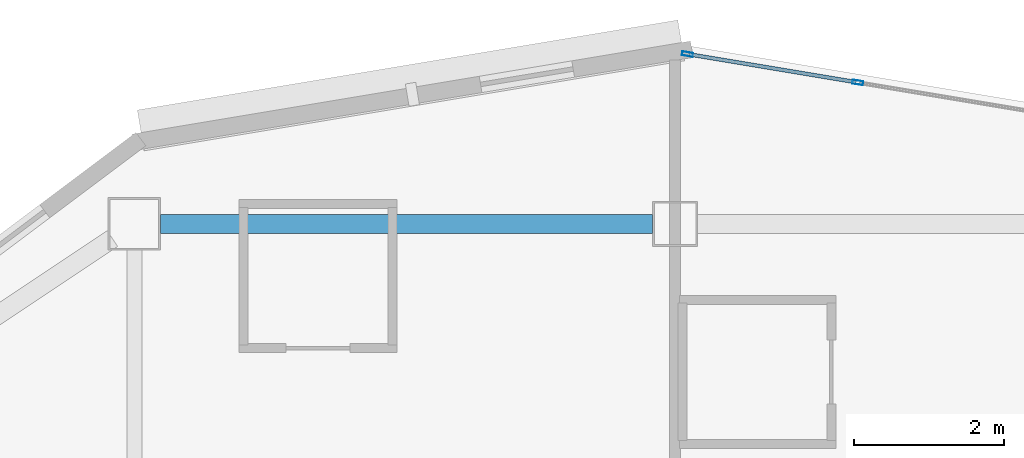
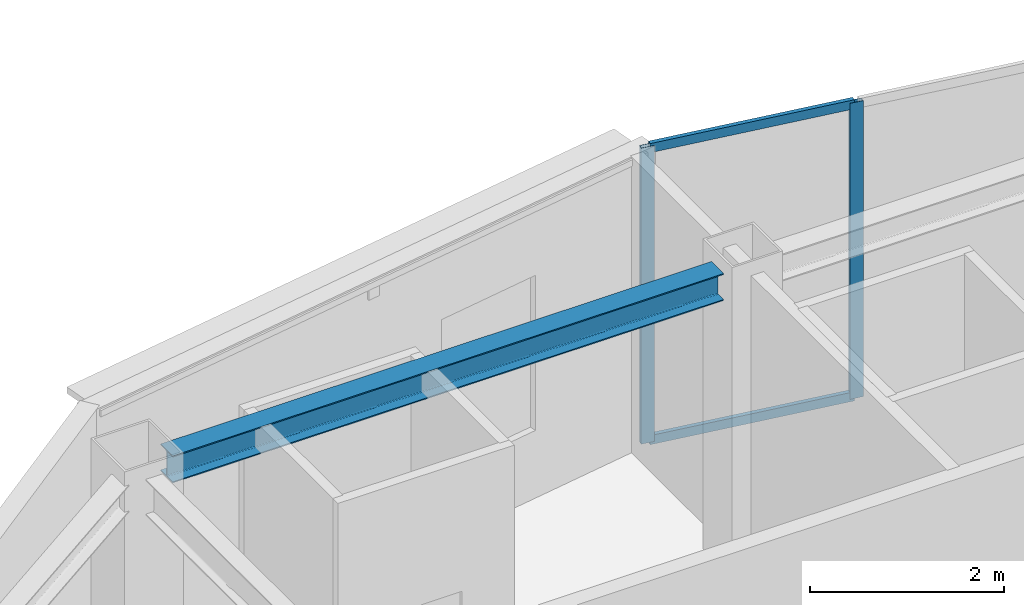
# One storey, part 5 of 12: 4 members, 1 beam, 1 element without a shape of its own.
"""IFC4 building model written with IfcOpenShell, lengths in metres."""

from ifc_helpers import new_model, si_unit, direction, frame, origin, origin_2d, place, context, subcontext, project, spatial, hollow_rectangle, i_section, extrude, material, layer, layer_set, material_profile, profile_set, type_object, element, aggregate, save


model = new_model("IFC4")

# Units and contexts
model_context = context("Model", 3, precision=1e-05, world=origin(), true_north=direction((0.0, 1.0)))
body_context = subcontext(model_context, "Body", "Model", "MODEL_VIEW")
ifc_project = project(units=[si_unit("LENGTHUNIT", "METRE"), si_unit("AREAUNIT", "SQUARE_METRE"), si_unit("VOLUMEUNIT", "CUBIC_METRE"), si_unit("PLANEANGLEUNIT", "RADIAN"), si_unit("MASSUNIT", "GRAM", prefix="KILO")], contexts=[model_context])

# Site, building, storey
site_placement = place(None, origin())
site = spatial("IfcSite", under=ifc_project, at=site_placement, CompositionType="ELEMENT")
building_placement = place(site_placement, origin())
building = spatial("IfcBuilding", under=site, at=building_placement, Name="Haolan Belvedere Tower", CompositionType="ELEMENT")
storey_placement = place(building_placement, frame((0.0, 0.0, 282.199951171875)))
storey = spatial("IfcBuildingStorey", under=building, at=storey_placement, Name="L71", CompositionType="ELEMENT", Elevation=282.199951171875)

# Beam
ifc_material_1 = material(Name="Steel Q355B", Category="steel")
ifc_material_profile_1 = material_profile(ifc_material_1, i_section(OverallWidth=0.25, OverallDepth=0.340087890625, WebThickness=0.009033203125, FlangeThickness=0.013916015625, FilletRadius=0.02001953125, at=origin_2d()), Name="Steel Q355B")
ifc_profile_set_1 = profile_set([ifc_material_profile_1], Name="Steel Q355B")
beam_type = type_object("IfcBeamType", Name="BM-HM340x250x9x14", PredefinedType="SPANDREL", material=ifc_profile_set_1)
beam_placement = place(storey_placement, frame((31.550048828125, 50.39990234375, 3.550048828125), z_axis=(1.0, 0.0, 0.0), x_axis=(0.0, 1.0, 0.0)))
element("IfcBeam", 1, at=beam_placement, inside=storey, type_object=beam_type, Name="L71 spandrel girder MC-T3-N1-TC-T3-NM", PredefinedType="SPANDREL", context=body_context, shape_type="SweptSolid", body=[
    extrude(i_section(OverallWidth=0.25, OverallDepth=0.340087890625, WebThickness=0.009033203125, FlangeThickness=0.013916015625, FilletRadius=0.02001953125, at=origin_2d()), origin(), (0.0, 0.0, 1.0), 6.550048828125),
])

# Curtain wall, members
ifc_material_2 = material(Name="Anodised champagne-silver aluminium 6063-T6 and Low-E glass", Category="aluminium")
ifc_layer = layer(ifc_material_2, 0.14501953125, Name="Anodised champagne-silver aluminium 6063-T6 and Low-E glass")
ifc_layer_set = layer_set([ifc_layer], Name="Anodised champagne-silver aluminium 6063-T6 and Low-E glass")
curtain_wall_type = type_object("IfcCurtainWallType", Name="CW-SYS-05", PredefinedType="NOTDEFINED", material=ifc_layer_set)
curtain_wall_placement = place(storey_placement, origin())
curtain_wall = element("IfcCurtainWall", 2, at=curtain_wall_placement, inside=storey, type_object=curtain_wall_type, Name="L71 CW-SYS-05 ribbon curtain wall 9.1", PredefinedType="NOTDEFINED")
ifc_material_3 = material(Name="Anodised aluminium 6063-T6", Category="aluminium")
ifc_material_profile_2 = material_profile(ifc_material_3, hollow_rectangle(XDim=0.053955078125, YDim=0.14501953125, WallThickness=0.00390625, at=origin_2d()), Name="Anodised aluminium 6063-T6")
ifc_profile_set_2 = profile_set([ifc_material_profile_2], Name="Anodised aluminium 6063-T6")
member_type_1 = type_object("IfcMemberType", Name="CW-SYS-05-MUL", PredefinedType="MULLION", material=ifc_profile_set_2)
member_1_placement = place(storey_placement, frame((40.831298828125, 52.283203125, 0.0), z_axis=(0.0, 0.0, 1.0), x_axis=(-0.164405962825, -0.98639276122, 0.0)))
member_1 = element("IfcMember", 3, at=member_1_placement, type_object=member_type_1, Name="CW-05 mullion 3", PredefinedType="MULLION", context=body_context, shape_type="SweptSolid", body=[
    extrude(hollow_rectangle(XDim=0.053955078125, YDim=0.14501953125, WallThickness=0.00390625, at=origin_2d()), origin(), (0.0, 0.0, 1.0), 3.719970703125),
])
member_2_placement = place(storey_placement, frame((38.564697265625, 52.6611328125, 0.0), z_axis=(0.0, 0.0, 1.0), x_axis=(-0.164405962825, -0.98639276122, 0.0)))
member_2 = element("IfcMember", 4, at=member_2_placement, type_object=member_type_1, Name="CW-05 mullion 4", PredefinedType="MULLION", context=body_context, shape_type="SweptSolid", body=[
    extrude(hollow_rectangle(XDim=0.053955078125, YDim=0.14501953125, WallThickness=0.00390625, at=origin_2d()), origin(), (0.0, 0.0, 1.0), 3.719970703125),
])
ifc_material_profile_3 = material_profile(ifc_material_3, hollow_rectangle(XDim=0.050048828125, YDim=0.114990234375, WallThickness=0.00390625, at=origin_2d()), Name="Anodised aluminium 6063-T6")
ifc_profile_set_3 = profile_set([ifc_material_profile_3], Name="Anodised aluminium 6063-T6")
member_type_2 = type_object("IfcMemberType", Name="CW-SYS-05-TRN", PredefinedType="USERDEFINED", material=ifc_profile_set_3)
member_3_placement = place(storey_placement, frame((40.8046875, 52.287841796875, 0.025146484375), z_axis=(-0.986393923832, 0.164398987305, 0.0), x_axis=(-0.164398987305, -0.986393923832, 0.0)))
member_3 = element("IfcMember", 5, at=member_3_placement, type_object=member_type_2, Name="CW-05 transom 3.1", ObjectType="TRANSOM", PredefinedType="USERDEFINED", context=body_context, shape_type="SweptSolid", body=[
    extrude(hollow_rectangle(XDim=0.050048828125, YDim=0.114990234375, WallThickness=0.00390625, at=origin_2d()), origin(), (0.0, 0.0, 1.0), 2.243896484375),
])
member_4_placement = place(storey_placement, frame((40.8046875, 52.287841796875, 3.695068359375), z_axis=(-0.986393923832, 0.164398987305, 0.0), x_axis=(-0.164398987305, -0.986393923832, 0.0)))
member_4 = element("IfcMember", 6, at=member_4_placement, type_object=member_type_2, Name="CW-05 transom 3.2", ObjectType="TRANSOM", PredefinedType="USERDEFINED", context=body_context, shape_type="SweptSolid", body=[
    extrude(hollow_rectangle(XDim=0.050048828125, YDim=0.114990234375, WallThickness=0.00390625, at=origin_2d()), origin(), (0.0, 0.0, 1.0), 2.243896484375),
])
aggregate(curtain_wall, [member_1, member_2, member_3, member_4])

save(model, "model.ifc")
